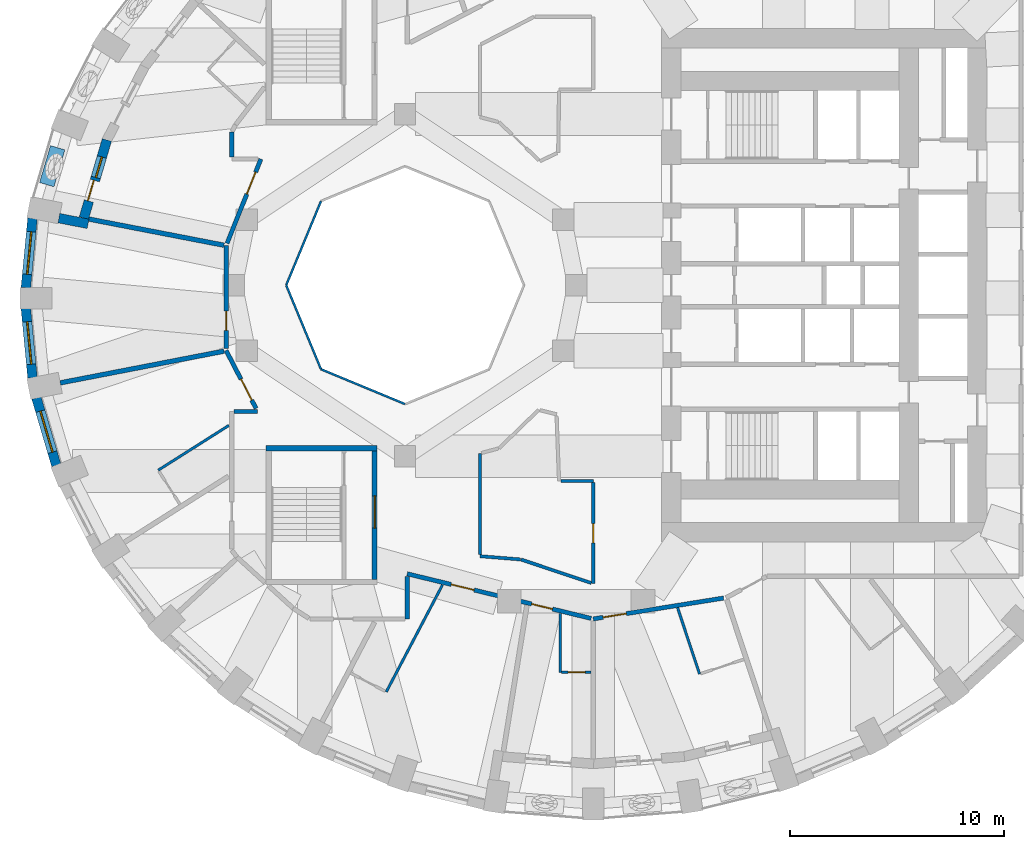
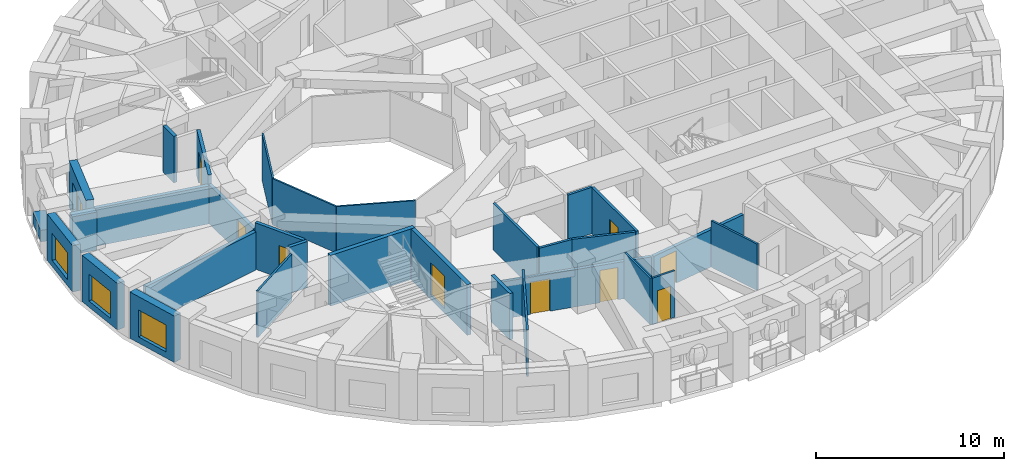
# One storey, part 4 of 13: 31 walls, 10 doors, 4 windows, 14 openings.
"""IFC4 building model written with IfcOpenShell, lengths in metres."""

from ifc_helpers import new_model, si_unit, direction, frame, frame_2d, origin, place, context, subcontext, project, spatial, rectangle, extrude, material, layer, layer_set, constituent, constituent_set, type_object, element, fill, save


model = new_model("IFC4")

# Units and contexts
model_context = context("Model", 3, precision=1e-05, world=origin(), true_north=direction((0.0, 1.0)))
body_context = subcontext(model_context, "Body", "Model", "MODEL_VIEW")
ifc_project = project(units=[si_unit("LENGTHUNIT", "METRE"), si_unit("AREAUNIT", "SQUARE_METRE"), si_unit("VOLUMEUNIT", "CUBIC_METRE"), si_unit("PLANEANGLEUNIT", "RADIAN"), si_unit("MASSUNIT", "GRAM", prefix="KILO")], contexts=[model_context])

# Site, building, storey
site_placement = place(None, origin())
site = spatial("IfcSite", under=ifc_project, at=site_placement, CompositionType="ELEMENT")
building_placement = place(site_placement, origin())
building = spatial("IfcBuilding", under=site, at=building_placement, Name="Taillehof Tower", CompositionType="ELEMENT")
storey_placement = place(building_placement, frame((0.0, 0.0, 115.300048828125)))
storey = spatial("IfcBuildingStorey", under=building, at=storey_placement, Name="L32", CompositionType="ELEMENT", Elevation=115.300048828125)

# Walls
ifc_material_1 = material(Name="Fire-resisting glass in steel frame", Category="steel")
ifc_layer_1 = layer(ifc_material_1, 0.10009765625)
ifc_layer_set_1 = layer_set([ifc_layer_1], Name="Atrium fire-resisting screen EI 60 100")
wall_type_1 = type_object("IfcWallType", Name="Atrium fire-resisting screen EI 60 100", PredefinedType="PARTITIONING", material=ifc_layer_set_1)
for number, where, z_axis, x_axis, name in (
    (1, (-8.0, -5.55419921875, 0.0), (0.0, 0.0, 1.0), (-0.923860025149, 0.382730523909, 0.0), "Atrium screen"),
    (2, (-11.92724609375, -3.92724609375, 0.0), (0.0, 0.0, 1.0), (-0.382730523909, 0.923860025149, 0.0), "Atrium screen"),
    (3, (-13.55419921875, 0.0, 0.0), (0.0, 0.0, 1.0), (0.382730523909, 0.923860025149, 0.0), "Atrium screen"),
):
    element("IfcWall", number, at=place(storey_placement, frame(where, z_axis=z_axis, x_axis=x_axis)), inside=storey, type_object=wall_type_1, Name=name, PredefinedType="PARTITIONING", context=body_context, shape_type="SweptSolid", body=[
        extrude(rectangle(XDim=4.2509765625, YDim=0.10009765625, at=frame_2d((2.12548828125, 0.0))), origin(), (0.0, 0.0, 1.0), 3.02001953125),
    ])

# Wall, opening, window
ifc_material_2 = material(Name="Brick masonry", Category="masonry")
ifc_layer_2 = layer(ifc_material_2, 0.449951171875)
ifc_layer_set_2 = layer_set([ifc_layer_2], Name="Brick infill wall 450")
wall_type_2 = type_object("IfcWallType", Name="Brick infill wall 450", PredefinedType="SOLIDWALL", material=ifc_layer_set_2)
wall_1_placement = place(storey_placement, frame((-25.414794921875, 3.12646484375, 0.0), z_axis=(0.0, 0.0, 1.0), x_axis=(-0.095967726544, -0.995384446062, 0.0)))
wall_1 = element("IfcWall", 4, at=wall_1_placement, inside=storey, type_object=wall_type_2, Name="Brick wall L32 bay 18", PredefinedType="SOLIDWALL", context=body_context, shape_type="SweptSolid", body=[
    extrude(rectangle(XDim=3.261474609375, YDim=0.449951171875, at=frame_2d((1.630859375, 0.0))), origin(), (0.0, 0.0, 1.0), 3.02001953125),
])
opening_1_placement = place(wall_1_placement, frame((0.630615234375, 0.0, 0.39990234375)))
opening_1 = element("IfcOpeningElement", 5, at=opening_1_placement, cuts=wall_1, Name="Opening W2", PredefinedType="OPENING", context=body_context, shape_type="SweptSolid", body=[
    extrude(rectangle(XDim=2.0, YDim=1.75, at=frame_2d((1.0, 0.875))), frame((0.0, 0.23486328125, 0.0), z_axis=(0.0, -1.0, 0.0), x_axis=(1.0, 0.0, 0.0)), (0.0, 0.0, 1.0), 0.469970703125),
])
ifc_material_3 = material(Name="Aluminium window frame with clear double glazing", Category="aluminium")
window_type_1 = type_object("IfcWindowType", Name="Deep-set window 2000x1750", PartitioningType="SINGLE_PANEL", PredefinedType="WINDOW", material=ifc_material_3)
window_1_placement = place(opening_1_placement, origin())
window_1 = element("IfcWindow", 6, at=window_1_placement, inside=storey, type_object=window_type_1, Name="W2", OverallHeight=1.75, OverallWidth=2.0, PartitioningType="SINGLE_PANEL", PredefinedType="WINDOW", context=body_context, shape_type="SweptSolid", body=[
    extrude(rectangle(XDim=2.0, YDim=1.75, at=frame_2d((1.0, 0.875))), frame((0.0, 0.034912109375, 0.0), z_axis=(0.0, -1.0, 0.0), x_axis=(1.0, 0.0, 0.0)), (0.0, 0.0, 1.0), 0.06005859375),
])
fill(opening_1, window_1)

wall_2_placement = place(storey_placement, frame((-25.727783203125, -1.080078125, 0.0), z_axis=(0.0, 0.0, 1.0), x_axis=(0.095967726544, -0.995384446062, 0.0)))
wall_2 = element("IfcWall", 7, at=wall_2_placement, inside=storey, type_object=wall_type_2, Name="Brick wall L32 bay 19", PredefinedType="SOLIDWALL", context=body_context, shape_type="SweptSolid", body=[
    extrude(rectangle(XDim=3.261474609375, YDim=0.449951171875, at=frame_2d((1.630859375, 0.0))), origin(), (0.0, 0.0, 1.0), 3.02001953125),
])
opening_2_placement = place(wall_2_placement, frame((0.630615234375, 0.0, 0.39990234375)))
opening_2 = element("IfcOpeningElement", 8, at=opening_2_placement, cuts=wall_2, Name="Opening W2", PredefinedType="OPENING", context=body_context, shape_type="SweptSolid", body=[
    extrude(rectangle(XDim=2.0, YDim=1.75, at=frame_2d((1.0, 0.875))), frame((0.0, 0.23486328125, 0.0), z_axis=(0.0, -1.0, 0.0), x_axis=(1.0, 0.0, 0.0)), (0.0, 0.0, 1.0), 0.469970703125),
])
window_2_placement = place(opening_2_placement, origin())
window_2 = element("IfcWindow", 9, at=window_2_placement, inside=storey, type_object=window_type_1, Name="W2", OverallHeight=1.75, OverallWidth=2.0, PartitioningType="SINGLE_PANEL", PredefinedType="WINDOW", context=body_context, shape_type="SweptSolid", body=[
    extrude(rectangle(XDim=2.0, YDim=1.75, at=frame_2d((1.0, 0.875))), frame((0.0, 0.034912109375, 0.0), z_axis=(0.0, -1.0, 0.0), x_axis=(1.0, 0.0, 0.0)), (0.0, 0.0, 1.0), 0.06005859375),
])
fill(opening_2, window_2)

wall_3_placement = place(storey_placement, frame((-25.232177734375, -5.26904296875, 0.0), z_axis=(0.0, 0.0, 1.0), x_axis=(0.283051078697, -0.959104836214, 0.0)))
wall_3 = element("IfcWall", 10, at=wall_3_placement, inside=storey, type_object=wall_type_2, Name="Brick wall L32 bay 20", PredefinedType="SOLIDWALL", context=body_context, shape_type="SweptSolid", body=[
    extrude(rectangle(XDim=3.2861328125, YDim=0.449951171875, at=frame_2d((1.64306640625, 0.0))), origin(), (0.0, 0.0, 1.0), 3.02001953125),
])
opening_3_placement = place(wall_3_placement, frame((0.64306640625, 0.0, 0.39990234375)))
opening_3 = element("IfcOpeningElement", 11, at=opening_3_placement, cuts=wall_3, Name="Opening W2", PredefinedType="OPENING", context=body_context, shape_type="SweptSolid", body=[
    extrude(rectangle(XDim=2.0, YDim=1.75, at=frame_2d((1.0, 0.875))), frame((0.0, 0.23486328125, 0.0), z_axis=(0.0, -1.0, 0.0), x_axis=(1.0, 0.0, 0.0)), (0.0, 0.0, 1.0), 0.469970703125),
])
window_3_placement = place(opening_3_placement, origin())
window_3 = element("IfcWindow", 12, at=window_3_placement, inside=storey, type_object=window_type_1, Name="W2", OverallHeight=1.75, OverallWidth=2.0, PartitioningType="SINGLE_PANEL", PredefinedType="WINDOW", context=body_context, shape_type="SweptSolid", body=[
    extrude(rectangle(XDim=2.0, YDim=1.75, at=frame_2d((1.0, 0.875))), frame((0.0, 0.034912109375, 0.0), z_axis=(0.0, -1.0, 0.0), x_axis=(1.0, 0.0, 0.0)), (0.0, 0.0, 1.0), 0.06005859375),
])
fill(opening_3, window_3)

# Wall
wall_4_placement = place(storey_placement, frame((-24.1826171875, 3.134765625, 0.0), z_axis=(0.0, 0.0, 1.0), x_axis=(0.981744955624, -0.190202108576, 0.0)))
element("IfcWall", 13, at=wall_4_placement, inside=storey, type_object=wall_type_2, Name="Brick reveal L32 pocket 4", PredefinedType="SOLIDWALL", context=body_context, shape_type="SweptSolid", body=[
    extrude(rectangle(XDim=1.39013671875, YDim=0.449951171875, at=frame_2d((0.695068359375, 0.0))), origin(), (0.0, 0.0, 1.0), 2.469970703125),
])

# Wall, openings, door, window
wall_5_placement = place(storey_placement, frame((-21.939453125, 6.790771484375, 0.0), z_axis=(0.0, 0.0, 1.0), x_axis=(-0.282350284167, -0.959311376473, 0.0)))
wall_5 = element("IfcWall", 14, at=wall_5_placement, inside=storey, type_object=wall_type_2, Name="Brick wall L32 pocket bay 17", PredefinedType="SOLIDWALL", context=body_context, shape_type="SweptSolid", body=[
    extrude(rectangle(XDim=3.80810546875, YDim=0.449951171875, at=frame_2d((1.904052734375, 0.0))), origin(), (0.0, 0.0, 1.0), 3.02001953125),
])
opening_4_placement = place(wall_5_placement, frame((0.8291015625, 0.0, 0.39990234375)))
opening_4 = element("IfcOpeningElement", 15, at=opening_4_placement, cuts=wall_5, Name="Opening W5", PredefinedType="OPENING", context=body_context, shape_type="SweptSolid", body=[
    extrude(rectangle(XDim=1.0, YDim=1.75, at=frame_2d((0.5, 0.875))), frame((0.0, 0.23486328125, 0.0), z_axis=(0.0, -1.0, 0.0), x_axis=(1.0, 0.0, 0.0)), (0.0, 0.0, 1.0), 0.469970703125),
])
opening_5_placement = place(wall_5_placement, frame((1.97900390625, 0.0, 0.0)))
opening_5 = element("IfcOpeningElement", 16, at=opening_5_placement, cuts=wall_5, Name="Opening D3293", PredefinedType="OPENING", context=body_context, shape_type="SweptSolid", body=[
    extrude(rectangle(XDim=1.0, YDim=2.14990234375, at=frame_2d((0.5, 1.074951171875))), frame((0.0, 0.23486328125, 0.0), z_axis=(0.0, -1.0, 0.0), x_axis=(1.0, 0.0, 0.0)), (0.0, 0.0, 1.0), 0.469970703125),
])
ifc_material_4 = material(Name="Aluminium door frame with clear double glazing", Category="aluminium")
door_type_1 = type_object("IfcDoorType", Name="Balcony door 1000x2150", OperationType="SINGLE_SWING_RIGHT", PredefinedType="DOOR", material=ifc_material_4)
door_1_placement = place(opening_5_placement, frame((1.0, 0.0, 0.0), z_axis=(0.0, 0.0, 1.0), x_axis=(-1.0, 0.0, 0.0)))
door_1 = element("IfcDoor", 17, at=door_1_placement, inside=storey, type_object=door_type_1, Name="Balcony door L32 bay 17", OperationType="SINGLE_SWING_LEFT", OverallHeight=2.14990234375, OverallWidth=1.0, PredefinedType="DOOR", context=body_context, shape_type="SweptSolid", body=[
    extrude(rectangle(XDim=1.0, YDim=2.14990234375, at=frame_2d((0.5, 1.074951171875))), frame((0.0, 0.0751953125, 0.0), z_axis=(0.0, -1.0, 0.0), x_axis=(1.0, 0.0, 0.0)), (0.0, 0.0, 1.0), 0.050048828125),
])
fill(opening_5, door_1)
ifc_material_5 = material(Name="Aluminium window frame with clear double glazing", Category="aluminium")
window_type_2 = type_object("IfcWindowType", Name="Fixed window 1000x1750", PartitioningType="SINGLE_PANEL", PredefinedType="WINDOW", material=ifc_material_5)
window_4_placement = place(opening_4_placement, origin())
window_4 = element("IfcWindow", 18, at=window_4_placement, inside=storey, type_object=window_type_2, Name="W5", OverallHeight=1.75, OverallWidth=1.0, PartitioningType="SINGLE_PANEL", PredefinedType="WINDOW", context=body_context, shape_type="SweptSolid", body=[
    extrude(rectangle(XDim=1.0, YDim=1.75, at=frame_2d((0.5, 0.875))), frame((0.0, 0.034912109375, 0.0), z_axis=(0.0, -1.0, 0.0), x_axis=(1.0, 0.0, 0.0)), (0.0, 0.0, 1.0), 0.06005859375),
])
fill(opening_4, window_4)

# Wall
ifc_material_6 = material(Name="Gypsum board on steel studs, two layers each side", Category="steel")
ifc_layer_3 = layer(ifc_material_6, 0.199951171875)
ifc_layer_set_3 = layer_set([ifc_layer_3], Name="Compartment wall corridor 200")
wall_type_3 = type_object("IfcWallType", Name="Compartment wall corridor 200", PredefinedType="PARTITIONING", material=ifc_layer_set_3)
wall_6_placement = place(storey_placement, frame((-16.0, -5.89990234375, 0.0), z_axis=(0.0, 0.0, 1.0), x_axis=(1.0, 0.0, 0.0)))
element("IfcWall", 19, at=wall_6_placement, inside=storey, type_object=wall_type_3, Name="Compartment wall", PredefinedType="PARTITIONING", context=body_context, shape_type="SweptSolid", body=[
    extrude(rectangle(XDim=1.1083984375, YDim=0.199951171875, at=frame_2d((0.55419921875, 0.0))), origin(), (0.0, 0.0, 1.0), 3.02001953125),
])

# Wall, opening, door
wall_7_placement = place(storey_placement, frame((-14.9658203125, -5.75732421875, 0.0), z_axis=(0.0, 0.0, 1.0), x_axis=(-0.458904116107, 0.888485797422, 0.0)))
wall_7 = element("IfcWall", 20, at=wall_7_placement, inside=storey, type_object=wall_type_3, Name="Compartment wall", PredefinedType="PARTITIONING", context=body_context, shape_type="SweptSolid", body=[
    extrude(rectangle(XDim=3.04736328125, YDim=0.199951171875, at=frame_2d((1.523681640625, 0.0))), origin(), (0.0, 0.0, 1.0), 3.02001953125),
])
opening_6_placement = place(wall_7_placement, frame((0.43505859375, 0.0, 0.0)))
opening_6 = element("IfcOpeningElement", 21, at=opening_6_placement, cuts=wall_7, Name="Opening D3252", PredefinedType="OPENING", context=body_context, shape_type="SweptSolid", body=[
    extrude(rectangle(XDim=1.10009765625, YDim=2.10009765625, at=frame_2d((0.550048828125, 1.050048828125))), frame((0.0, 0.10986328125, 0.0), z_axis=(0.0, -1.0, 0.0), x_axis=(1.0, 0.0, 0.0)), (0.0, 0.0, 1.0), 0.219970703125),
])
ifc_material_7 = material(Name="Timber door leaf in steel frame", Category="steel")
door_type_2 = type_object("IfcDoorType", Name="Suite entrance door EI 30 1100 x 2100", OperationType="SINGLE_SWING_LEFT", PredefinedType="DOOR", material=ifc_material_7)
door_2_placement = place(opening_6_placement, origin())
door_2 = element("IfcDoor", 22, at=door_2_placement, inside=storey, type_object=door_type_2, Name="D3252", OperationType="SINGLE_SWING_LEFT", OverallHeight=2.10009765625, OverallWidth=1.10009765625, PredefinedType="DOOR", context=body_context, shape_type="SweptSolid", body=[
    extrude(rectangle(XDim=1.10009765625, YDim=2.10009765625, at=frame_2d((0.550048828125, 1.050048828125))), frame((0.0, 0.02490234375, 0.0), z_axis=(0.0, -1.0, 0.0), x_axis=(1.0, 0.0, 0.0)), (0.0, 0.0, 1.0), 0.050048828125),
])
fill(opening_6, door_2)

wall_8_placement = place(storey_placement, frame((-16.3642578125, -2.94970703125, 0.0), z_axis=(0.0, 0.0, 1.0), x_axis=(0.0, 1.0, 0.0)))
wall_8 = element("IfcWall", 23, at=wall_8_placement, inside=storey, type_object=wall_type_3, Name="Compartment wall", PredefinedType="PARTITIONING", context=body_context, shape_type="SweptSolid", body=[
    extrude(rectangle(XDim=4.79931640625, YDim=0.199951171875, at=frame_2d((2.399658203125, 0.0))), origin(), (0.0, 0.0, 1.0), 2.52001953125),
])
opening_7_placement = place(wall_8_placement, frame((0.8349609375, 0.0, 0.0)))
opening_7 = element("IfcOpeningElement", 24, at=opening_7_placement, cuts=wall_8, Name="Opening D3251", PredefinedType="OPENING", context=body_context, shape_type="SweptSolid", body=[
    extrude(rectangle(XDim=0.89990234375, YDim=2.10009765625, at=frame_2d((0.449951171875, 1.050048828125))), frame((0.0, 0.10986328125, 0.0), z_axis=(0.0, -1.0, 0.0), x_axis=(1.0, 0.0, 0.0)), (0.0, 0.0, 1.0), 0.219970703125),
])
ifc_material_8 = material(Name="Timber door leaf in steel frame", Category="steel")
door_type_3 = type_object("IfcDoorType", Name="Service room door EI 30 900 x 2100", OperationType="SINGLE_SWING_LEFT", PredefinedType="DOOR", material=ifc_material_8)
door_3_placement = place(opening_7_placement, origin())
door_3 = element("IfcDoor", 25, at=door_3_placement, inside=storey, type_object=door_type_3, Name="D3251", OperationType="SINGLE_SWING_LEFT", OverallHeight=2.10009765625, OverallWidth=0.89990234375, PredefinedType="DOOR", context=body_context, shape_type="SweptSolid", body=[
    extrude(rectangle(XDim=0.89990234375, YDim=2.10009765625, at=frame_2d((0.449951171875, 1.050048828125))), frame((0.0, 0.02490234375, 0.0), z_axis=(0.0, -1.0, 0.0), x_axis=(1.0, 0.0, 0.0)), (0.0, 0.0, 1.0), 0.050048828125),
])
fill(opening_7, door_3)

wall_9_placement = place(storey_placement, frame((-16.31884765625, 1.9609375, 0.0), z_axis=(0.0, 0.0, 1.0), x_axis=(0.372352515432, 0.928091377102, 0.0)))
wall_9 = element("IfcWall", 26, at=wall_9_placement, inside=storey, type_object=wall_type_3, Name="Compartment wall", PredefinedType="PARTITIONING", context=body_context, shape_type="SweptSolid", body=[
    extrude(rectangle(XDim=4.244140625, YDim=0.199951171875, at=frame_2d((2.1220703125, 0.0))), origin(), (0.0, 0.0, 1.0), 3.02001953125),
])
opening_8_placement = place(wall_9_placement, frame((2.480712890625, 0.0, 0.0)))
opening_8 = element("IfcOpeningElement", 27, at=opening_8_placement, cuts=wall_9, Name="Opening D3249", PredefinedType="OPENING", context=body_context, shape_type="SweptSolid", body=[
    extrude(rectangle(XDim=1.10009765625, YDim=2.10009765625, at=frame_2d((0.550048828125, 1.050048828125))), frame((0.0, 0.10986328125, 0.0), z_axis=(0.0, -1.0, 0.0), x_axis=(1.0, 0.0, 0.0)), (0.0, 0.0, 1.0), 0.219970703125),
])
door_4_placement = place(opening_8_placement, origin())
door_4 = element("IfcDoor", 28, at=door_4_placement, inside=storey, type_object=door_type_2, Name="D3249", OperationType="SINGLE_SWING_RIGHT", OverallHeight=2.10009765625, OverallWidth=1.10009765625, PredefinedType="DOOR", context=body_context, shape_type="SweptSolid", body=[
    extrude(rectangle(XDim=1.10009765625, YDim=2.10009765625, at=frame_2d((0.550048828125, 1.050048828125))), frame((0.0, 0.02490234375, 0.0), z_axis=(0.0, -1.0, 0.0), x_axis=(1.0, 0.0, 0.0)), (0.0, 0.0, 1.0), 0.050048828125),
])
fill(opening_8, door_4)

# Wall
wall_10_placement = place(storey_placement, frame((-16.10009765625, 6.0, 0.0), z_axis=(0.0, 0.0, 1.0), x_axis=(0.0, 1.0, 0.0)))
element("IfcWall", 29, at=wall_10_placement, inside=storey, type_object=wall_type_3, Name="Compartment wall", PredefinedType="PARTITIONING", context=body_context, shape_type="SweptSolid", body=[
    extrude(rectangle(XDim=1.159912109375, YDim=0.199951171875, at=frame_2d((0.580078125, 0.0))), origin(), (0.0, 0.0, 1.0), 3.02001953125),
])

# Wall, opening, door
wall_11_placement = place(storey_placement, frame((6.890625, -14.624755859375, 0.0), z_axis=(0.0, 0.0, 1.0), x_axis=(-0.987419134366, -0.158124802253, 0.0)))
wall_11 = element("IfcWall", 30, at=wall_11_placement, inside=storey, type_object=wall_type_3, Name="Compartment wall", PredefinedType="PARTITIONING", context=body_context, shape_type="SweptSolid", body=[
    extrude(rectangle(XDim=6.168212890625, YDim=0.199951171875, at=frame_2d((3.083984375, 0.0))), origin(), (0.0, 0.0, 1.0), 2.419921875),
])
opening_9_placement = place(wall_11_placement, frame((4.60400390625, 0.0, 0.0)))
opening_9 = element("IfcOpeningElement", 31, at=opening_9_placement, cuts=wall_11, Name="Opening D3260", PredefinedType="OPENING", context=body_context, shape_type="SweptSolid", body=[
    extrude(rectangle(XDim=1.10009765625, YDim=2.10009765625, at=frame_2d((0.550048828125, 1.050048828125))), frame((0.0, 0.10986328125, 0.0), z_axis=(0.0, -1.0, 0.0), x_axis=(1.0, 0.0, 0.0)), (0.0, 0.0, 1.0), 0.219970703125),
])
ifc_material_9 = material(Name="Timber door leaf in steel frame", Category="steel")
door_type_4 = type_object("IfcDoorType", Name="Accessible guest room door EI 30 1100 x 2100", OperationType="SINGLE_SWING_LEFT", PredefinedType="DOOR", material=ifc_material_9)
door_5_placement = place(opening_9_placement, origin())
door_5 = element("IfcDoor", 32, at=door_5_placement, inside=storey, type_object=door_type_4, Name="D3260", OperationType="SINGLE_SWING_RIGHT", OverallHeight=2.10009765625, OverallWidth=1.10009765625, PredefinedType="DOOR", context=body_context, shape_type="SweptSolid", body=[
    extrude(rectangle(XDim=1.10009765625, YDim=2.10009765625, at=frame_2d((0.550048828125, 1.050048828125))), frame((0.0, 0.02490234375, 0.0), z_axis=(0.0, -1.0, 0.0), x_axis=(1.0, 0.0, 0.0)), (0.0, 0.0, 1.0), 0.050048828125),
])
fill(opening_9, door_5)

# Wall, openings, doors
wall_12_placement = place(storey_placement, frame((0.702392578125, -15.576904296875, 0.0), z_axis=(0.0, 0.0, 1.0), x_axis=(-0.971804733873, 0.235787105715, 0.0)))
wall_12 = element("IfcWall", 33, at=wall_12_placement, inside=storey, type_object=wall_type_3, Name="Compartment wall", PredefinedType="PARTITIONING", context=body_context, shape_type="SweptSolid", body=[
    extrude(rectangle(XDim=8.851806640625, YDim=0.199951171875, at=frame_2d((4.42578125, 0.0))), origin(), (0.0, 0.0, 1.0), 2.419921875),
])
opening_10_placement = place(wall_12_placement, frame((5.631103515625, 0.0, 0.0)))
opening_10 = element("IfcOpeningElement", 34, at=opening_10_placement, cuts=wall_12, Name="Opening D3256", PredefinedType="OPENING", context=body_context, shape_type="SweptSolid", body=[
    extrude(rectangle(XDim=1.10009765625, YDim=2.10009765625, at=frame_2d((0.550048828125, 1.050048828125))), frame((0.0, 0.10986328125, 0.0), z_axis=(0.0, -1.0, 0.0), x_axis=(1.0, 0.0, 0.0)), (0.0, 0.0, 1.0), 0.219970703125),
])
opening_11_placement = place(wall_12_placement, frame((1.86328125, 0.0, 0.0)))
opening_11 = element("IfcOpeningElement", 35, at=opening_11_placement, cuts=wall_12, Name="Opening D3258", PredefinedType="OPENING", context=body_context, shape_type="SweptSolid", body=[
    extrude(rectangle(XDim=1.0, YDim=2.10009765625, at=frame_2d((0.5, 1.050048828125))), frame((0.0, 0.10986328125, 0.0), z_axis=(0.0, -1.0, 0.0), x_axis=(1.0, 0.0, 0.0)), (0.0, 0.0, 1.0), 0.219970703125),
])
ifc_material_10 = material(Name="Timber door leaf in steel frame", Category="steel")
door_type_5 = type_object("IfcDoorType", Name="Guest room door EI 30 1000 x 2100", OperationType="SINGLE_SWING_LEFT", PredefinedType="DOOR", material=ifc_material_10)
door_6_placement = place(opening_11_placement, origin())
door_6 = element("IfcDoor", 36, at=door_6_placement, inside=storey, type_object=door_type_5, Name="D3258", OperationType="SINGLE_SWING_RIGHT", OverallHeight=2.10009765625, OverallWidth=1.0, PredefinedType="DOOR", context=body_context, shape_type="SweptSolid", body=[
    extrude(rectangle(XDim=1.0, YDim=2.10009765625, at=frame_2d((0.5, 1.050048828125))), frame((0.0, 0.02490234375, 0.0), z_axis=(0.0, -1.0, 0.0), x_axis=(1.0, 0.0, 0.0)), (0.0, 0.0, 1.0), 0.050048828125),
])
fill(opening_11, door_6)
door_7_placement = place(opening_10_placement, origin())
door_7 = element("IfcDoor", 37, at=door_7_placement, inside=storey, type_object=door_type_2, Name="D3256", OperationType="SINGLE_SWING_RIGHT", OverallHeight=2.10009765625, OverallWidth=1.10009765625, PredefinedType="DOOR", context=body_context, shape_type="SweptSolid", body=[
    extrude(rectangle(XDim=1.10009765625, YDim=2.10009765625, at=frame_2d((0.550048828125, 1.050048828125))), frame((0.0, 0.02490234375, 0.0), z_axis=(0.0, -1.0, 0.0), x_axis=(1.0, 0.0, 0.0)), (0.0, 0.0, 1.0), 0.050048828125),
])
fill(opening_10, door_7)

# Walls
wall_13_placement = place(storey_placement, frame((-7.89990234375, -13.60986328125, 0.0), z_axis=(0.0, 0.0, 1.0), x_axis=(0.0, -1.0, 0.0)))
element("IfcWall", 38, at=wall_13_placement, inside=storey, type_object=wall_type_3, Name="Compartment wall", PredefinedType="PARTITIONING", context=body_context, shape_type="SweptSolid", body=[
    extrude(rectangle(XDim=1.990234375, YDim=0.199951171875, at=frame_2d((0.9951171875, 0.0))), origin(), (0.0, 0.0, 1.0), 3.02001953125),
])
ifc_material_11 = material(Name="Gypsum board on double steel studs with mineral wool", Category="steel")
ifc_layer_4 = layer(ifc_material_11, 0.219970703125)
ifc_layer_set_4 = layer_set([ifc_layer_4], Name="Compartment wall guest room 220")
wall_type_4 = type_object("IfcWallType", Name="Compartment wall guest room 220", PredefinedType="PARTITIONING", material=ifc_layer_set_4)
wall_14_placement = place(storey_placement, frame((-22.792724609375, 3.0947265625, 0.0), z_axis=(0.0, 0.0, 1.0), x_axis=(0.981772102901, -0.190061931918, 0.0)))
element("IfcWall", 39, at=wall_14_placement, inside=storey, type_object=wall_type_4, Name="Compartment wall", PredefinedType="PARTITIONING", context=body_context, shape_type="SweptSolid", body=[
    extrude(rectangle(XDim=6.4482421875, YDim=0.219970703125, at=frame_2d((3.22412109375, 0.0))), origin(), (0.0, 0.0, 1.0), 2.469970703125),
])
wall_15_placement = place(storey_placement, frame((-24.117919921875, -4.564208984375, 0.0), z_axis=(0.0, 0.0, 1.0), x_axis=(0.981765151757, 0.190097834799, 0.0)))
element("IfcWall", 40, at=wall_15_placement, inside=storey, type_object=wall_type_4, Name="Compartment wall", PredefinedType="PARTITIONING", context=body_context, shape_type="SweptSolid", body=[
    extrude(rectangle(XDim=7.798095703125, YDim=0.219970703125, at=frame_2d((3.89892578125, 0.0))), origin(), (0.0, 0.0, 1.0), 2.469970703125),
])
ifc_material_12 = material(Name="Gypsum board on steel studs, two layers each side", Category="steel")
ifc_layer_5 = layer(ifc_material_12, 0.14990234375)
ifc_layer_set_5 = layer_set([ifc_layer_5], Name="Compartment wall service room 150")
wall_type_5 = type_object("IfcWallType", Name="Compartment wall service room 150", PredefinedType="PARTITIONING", material=ifc_layer_set_5)
wall_16_placement = place(storey_placement, frame((-0.719970703125, -9.14990234375, 0.0), z_axis=(0.0, 0.0, 1.0), x_axis=(1.0, 0.0, 0.0)))
element("IfcWall", 41, at=wall_16_placement, inside=storey, type_object=wall_type_5, Name="Compartment wall", PredefinedType="PARTITIONING", context=body_context, shape_type="SweptSolid", body=[
    extrude(rectangle(XDim=1.52001953125, YDim=0.14990234375, at=frame_2d((0.760009765625, 0.0))), origin(), (0.0, 0.0, 1.0), 3.02001953125),
])

# Wall, opening, door
wall_17_placement = place(storey_placement, frame((0.800048828125, -9.22998046875, 0.0), z_axis=(0.0, 0.0, 1.0), x_axis=(0.0, -1.0, 0.0)))
wall_17 = element("IfcWall", 42, at=wall_17_placement, inside=storey, type_object=wall_type_5, Name="Compartment wall", PredefinedType="PARTITIONING", context=body_context, shape_type="SweptSolid", body=[
    extrude(rectangle(XDim=4.7236328125, YDim=0.14990234375, at=frame_2d((2.36181640625, 0.0))), origin(), (0.0, 0.0, 1.0), 3.02001953125),
])
opening_12_placement = place(wall_17_placement, frame((1.911865234375, 0.0, 0.0)))
opening_12 = element("IfcOpeningElement", 43, at=opening_12_placement, cuts=wall_17, Name="Opening D3269", PredefinedType="OPENING", context=body_context, shape_type="SweptSolid", body=[
    extrude(rectangle(XDim=0.89990234375, YDim=2.10009765625, at=frame_2d((0.449951171875, 1.050048828125))), frame((0.0, 0.0849609375, 0.0), z_axis=(0.0, -1.0, 0.0), x_axis=(1.0, 0.0, 0.0)), (0.0, 0.0, 1.0), 0.169921875),
])
door_8_placement = place(opening_12_placement, origin())
door_8 = element("IfcDoor", 44, at=door_8_placement, inside=storey, type_object=door_type_3, Name="D3269", OperationType="SINGLE_SWING_LEFT", OverallHeight=2.10009765625, OverallWidth=0.89990234375, PredefinedType="DOOR", context=body_context, shape_type="SweptSolid", body=[
    extrude(rectangle(XDim=0.89990234375, YDim=2.10009765625, at=frame_2d((0.449951171875, 1.050048828125))), frame((0.0, 0.02490234375, 0.0), z_axis=(0.0, -1.0, 0.0), x_axis=(1.0, 0.0, 0.0)), (0.0, 0.0, 1.0), 0.050048828125),
])
fill(opening_12, door_8)

# Walls
wall_18_placement = place(storey_placement, frame((0.704833984375, -13.921875, 0.0), z_axis=(0.0, 0.0, 1.0), x_axis=(-0.948131483463, 0.317878420258, 0.0)))
element("IfcWall", 45, at=wall_18_placement, inside=storey, type_object=wall_type_5, Name="Compartment wall", PredefinedType="PARTITIONING", context=body_context, shape_type="SweptSolid", body=[
    extrude(rectangle(XDim=3.4599609375, YDim=0.14990234375, at=frame_2d((1.72998046875, 0.0))), origin(), (0.0, 0.0, 1.0), 3.02001953125),
])
wall_19_placement = place(storey_placement, frame((-2.595703125, -12.8203125, 0.0), z_axis=(0.0, 0.0, 1.0), x_axis=(-0.996815278536, 0.079745222283, 0.0)))
element("IfcWall", 46, at=wall_19_placement, inside=storey, type_object=wall_type_5, Name="Compartment wall", PredefinedType="PARTITIONING", context=body_context, shape_type="SweptSolid", body=[
    extrude(rectangle(XDim=1.910400390625, YDim=0.14990234375, at=frame_2d((0.955078125, 0.0))), origin(), (0.0, 0.0, 1.0), 3.02001953125),
])
wall_20_placement = place(storey_placement, frame((-4.5, -12.587890625, 0.0), z_axis=(0.0, 0.0, 1.0), x_axis=(0.0, 1.0, 0.0)))
element("IfcWall", 47, at=wall_20_placement, inside=storey, type_object=wall_type_5, Name="Compartment wall", PredefinedType="PARTITIONING", context=body_context, shape_type="SweptSolid", body=[
    extrude(rectangle(XDim=4.725830078125, YDim=0.14990234375, at=frame_2d((2.36279296875, 0.0))), origin(), (0.0, 0.0, 1.0), 3.02001953125),
])
ifc_material_13 = material(Name="Gypsum board on steel studs, moisture resistant", Category="steel")
ifc_layer_6 = layer(ifc_material_13, 0.1201171875)
ifc_layer_set_6 = layer_set([ifc_layer_6], Name="En-suite wall 120")
wall_type_6 = type_object("IfcWallType", Name="En-suite wall 120", PredefinedType="PARTITIONING", material=ifc_layer_set_6)
wall_21_placement = place(storey_placement, frame((-16.23388671875, -6.552490234375, 0.0), z_axis=(0.0, 0.0, 1.0), x_axis=(-0.844514089089, -0.535533335406, 0.0)))
element("IfcWall", 48, at=wall_21_placement, inside=storey, type_object=wall_type_6, Name="En-suite wall", PredefinedType="PARTITIONING", context=body_context, shape_type="SweptSolid", body=[
    extrude(rectangle(XDim=3.90966796875, YDim=0.1201171875, at=frame_2d((1.954833984375, 0.0))), origin(), (0.0, 0.0, 1.0), 3.02001953125),
])
wall_22_placement = place(storey_placement, frame((-6.25, -14.012939453125, 0.0), z_axis=(0.0, 0.0, 1.0), x_axis=(-0.465288210927, -0.885159240347, 0.0)))
element("IfcWall", 49, at=wall_22_placement, inside=storey, type_object=wall_type_6, Name="En-suite wall", PredefinedType="PARTITIONING", context=body_context, shape_type="SweptSolid", body=[
    extrude(rectangle(XDim=5.644287109375, YDim=0.1201171875, at=frame_2d((2.822265625, 0.0))), origin(), (0.0, 0.0, 1.0), 3.02001953125),
])
wall_23_placement = place(storey_placement, frame((-0.75, -15.346923828125, 0.0), z_axis=(0.0, 0.0, 1.0), x_axis=(0.0, -1.0, 0.0)))
element("IfcWall", 50, at=wall_23_placement, inside=storey, type_object=wall_type_6, Name="En-suite wall", PredefinedType="PARTITIONING", context=body_context, shape_type="SweptSolid", body=[
    extrude(rectangle(XDim=2.753173828125, YDim=0.1201171875, at=frame_2d((1.37646484375, 0.0))), origin(), (0.0, 0.0, 1.0), 3.02001953125),
])
wall_24_placement = place(storey_placement, frame((4.740478515625, -15.0703125, 0.0), z_axis=(0.0, 0.0, 1.0), x_axis=(0.314526308998, -0.949248756095, 0.0)))
element("IfcWall", 51, at=wall_24_placement, inside=storey, type_object=wall_type_6, Name="En-suite wall", PredefinedType="PARTITIONING", context=body_context, shape_type="SweptSolid", body=[
    extrude(rectangle(XDim=3.2724609375, YDim=0.1201171875, at=frame_2d((1.63623046875, 0.0))), origin(), (0.0, 0.0, 1.0), 3.02001953125),
])

# Wall, opening, door
wall_25_placement = place(storey_placement, frame((-0.68994140625, -18.10009765625, 0.0), z_axis=(0.0, 0.0, 1.0), x_axis=(1.0, 0.0, 0.0)))
wall_25 = element("IfcWall", 52, at=wall_25_placement, inside=storey, type_object=wall_type_6, Name="En-suite wall", PredefinedType="PARTITIONING", context=body_context, shape_type="SweptSolid", body=[
    extrude(rectangle(XDim=1.3798828125, YDim=0.1201171875, at=frame_2d((0.68994140625, 0.0))), origin(), (0.0, 0.0, 1.0), 3.02001953125),
])
opening_13_placement = place(wall_25_placement, frame((0.31494140625, 0.0, 0.0)))
opening_13 = element("IfcOpeningElement", 53, at=opening_13_placement, cuts=wall_25, Name="Opening D3259", PredefinedType="OPENING", context=body_context, shape_type="SweptSolid", body=[
    extrude(rectangle(XDim=0.800048828125, YDim=2.10009765625, at=frame_2d((0.39990234375, 1.050048828125))), frame((0.0, 0.070068359375, 0.0), z_axis=(0.0, -1.0, 0.0), x_axis=(1.0, 0.0, 0.0)), (0.0, 0.0, 1.0), 0.14013671875),
])
ifc_material_14 = material(Name="Timber door leaf in steel frame", Category="steel")
door_type_6 = type_object("IfcDoorType", Name="En-suite door 800 x 2100", OperationType="SINGLE_SWING_LEFT", PredefinedType="DOOR", material=ifc_material_14)
door_9_placement = place(opening_13_placement, origin())
door_9 = element("IfcDoor", 54, at=door_9_placement, inside=storey, type_object=door_type_6, Name="D3259", OperationType="SINGLE_SWING_LEFT", OverallHeight=2.10009765625, OverallWidth=0.800048828125, PredefinedType="DOOR", context=body_context, shape_type="SweptSolid", body=[
    extrude(rectangle(XDim=0.800048828125, YDim=2.10009765625, at=frame_2d((0.39990234375, 1.050048828125))), frame((0.0, 0.02490234375, 0.0), z_axis=(0.0, -1.0, 0.0), x_axis=(1.0, 0.0, 0.0)), (0.0, 0.0, 1.0), 0.050048828125),
])
fill(opening_13, door_9)

# Wall
ifc_material_15 = material(Name="Concrete C30/37 precast", Category="concrete")
ifc_constituent_1 = constituent(ifc_material_15, Name="Structure", Category="concrete")
ifc_material_16 = material(Name="Insulated lining")
ifc_constituent_2 = constituent(ifc_material_16, Name="Lining")
ifc_constituent_set = constituent_set(constituents=[ifc_constituent_1, ifc_constituent_2], Name="Planter trough 700x750")
wall_type_7 = type_object("IfcWallType", Name="Planter trough 700x750", PredefinedType="USERDEFINED", material=ifc_constituent_set)
wall_26_placement = place(storey_placement, frame((-24.239013671875, 6.42724609375, 0.0), z_axis=(0.0, 0.0, 1.0), x_axis=(-0.283076786659, -0.959097248904, 0.0)))
element("IfcWall", 55, at=wall_26_placement, inside=storey, type_object=wall_type_7, Name="Planter L32 bay 17", ObjectType="PLANTER", PredefinedType="USERDEFINED", context=body_context, shape_type="SweptSolid", body=[
    extrude(rectangle(XDim=1.800048828125, YDim=0.699951171875, at=frame_2d((0.89990234375, 0.0))), origin(), (0.0, 0.0, 1.0), 0.75),
])

# Wall, opening, door
ifc_material_17 = material(Name="Concrete C50/60", Category="concrete")
ifc_layer_7 = layer(ifc_material_17, 0.25)
ifc_layer_set_7 = layer_set([ifc_layer_7], Name="Stair wall C50/60 250")
wall_type_8 = type_object("IfcWallType", Name="Stair wall C50/60 250", PredefinedType="SHEAR", material=ifc_layer_set_7)
wall_27_placement = place(storey_placement, frame((-9.425048828125, -13.75, -0.280029296875), z_axis=(0.0, 0.0, 1.0), x_axis=(0.0, 1.0, 0.0)))
wall_27 = element("IfcWall", 56, at=wall_27_placement, inside=storey, type_object=wall_type_8, Name="Stair wall SC", PredefinedType="SHEAR", context=body_context, shape_type="SweptSolid", body=[
    extrude(rectangle(XDim=6.0, YDim=0.25, at=frame_2d((3.0, 0.0))), origin(), (0.0, 0.0, 1.0), 3.300048828125),
])
opening_14_placement = place(wall_27_placement, frame((2.39990234375, 0.0, 0.280029296875)))
opening_14 = element("IfcOpeningElement", 57, at=opening_14_placement, cuts=wall_27, Name="Opening D3220", PredefinedType="OPENING", context=body_context, shape_type="SweptSolid", body=[
    extrude(rectangle(XDim=1.5, YDim=2.10009765625, at=frame_2d((0.75, 1.050048828125))), frame((0.0, 0.135009765625, 0.0), z_axis=(0.0, -1.0, 0.0), x_axis=(1.0, 0.0, 0.0)), (0.0, 0.0, 1.0), 0.27001953125),
])
ifc_material_18 = material(Name="Steel-faced fire door", Category="steel")
door_type_7 = type_object("IfcDoorType", Name="Stair door 1500x2100", OperationType="DOUBLE_DOOR_SINGLE_SWING", PredefinedType="DOOR", material=ifc_material_18)
door_10_placement = place(opening_14_placement, origin())
door_10 = element("IfcDoor", 58, at=door_10_placement, inside=storey, type_object=door_type_7, Name="Stair door S4", OperationType="DOUBLE_DOOR_SINGLE_SWING", OverallHeight=2.10009765625, OverallWidth=1.5, PredefinedType="DOOR", context=body_context, shape_type="SweptSolid", body=[
    extrude(rectangle(XDim=1.5, YDim=2.10009765625, at=frame_2d((0.75, 1.050048828125))), frame((0.0, 0.02490234375, 0.0), z_axis=(0.0, -1.0, 0.0), x_axis=(1.0, 0.0, 0.0)), (0.0, 0.0, 1.0), 0.050048828125),
])
fill(opening_14, door_10)

# Wall
wall_28_placement = place(storey_placement, frame((-14.5, -7.625, -0.280029296875), z_axis=(0.0, 0.0, 1.0), x_axis=(1.0, 0.0, 0.0)))
element("IfcWall", 59, at=wall_28_placement, inside=storey, type_object=wall_type_8, Name="Stair wall SC", PredefinedType="SHEAR", context=body_context, shape_type="SweptSolid", body=[
    extrude(rectangle(XDim=5.199951171875, YDim=0.25, at=frame_2d((2.60009765625, 0.0))), origin(), (0.0, 0.0, 1.0), 3.300048828125),
])

save(model, "model.ifc")
